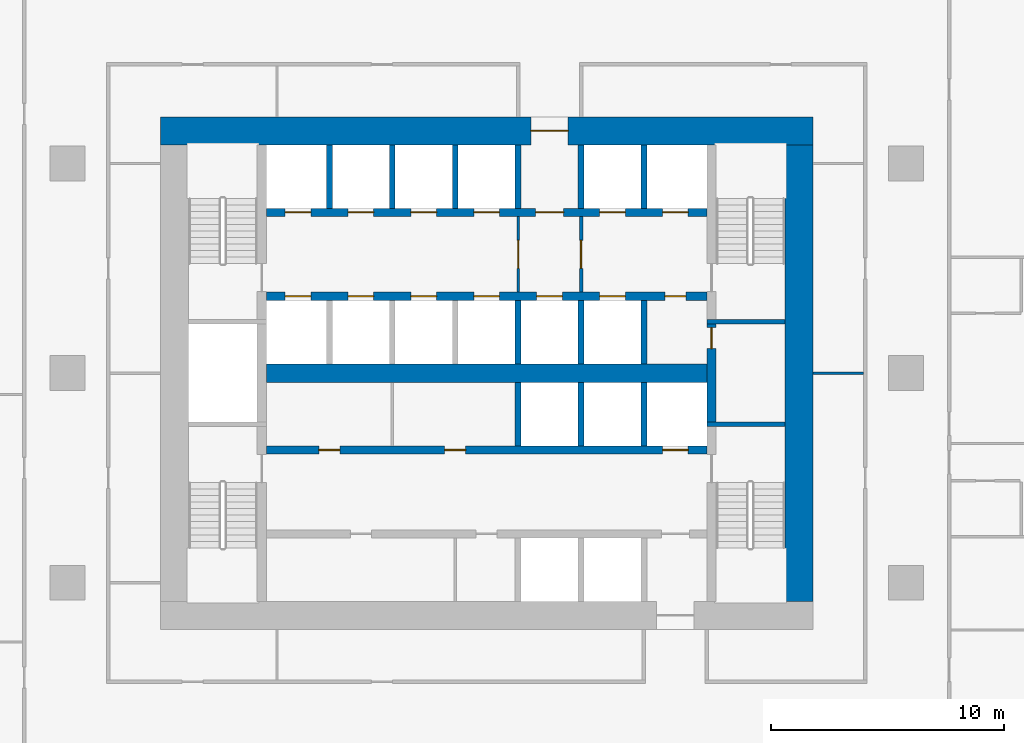
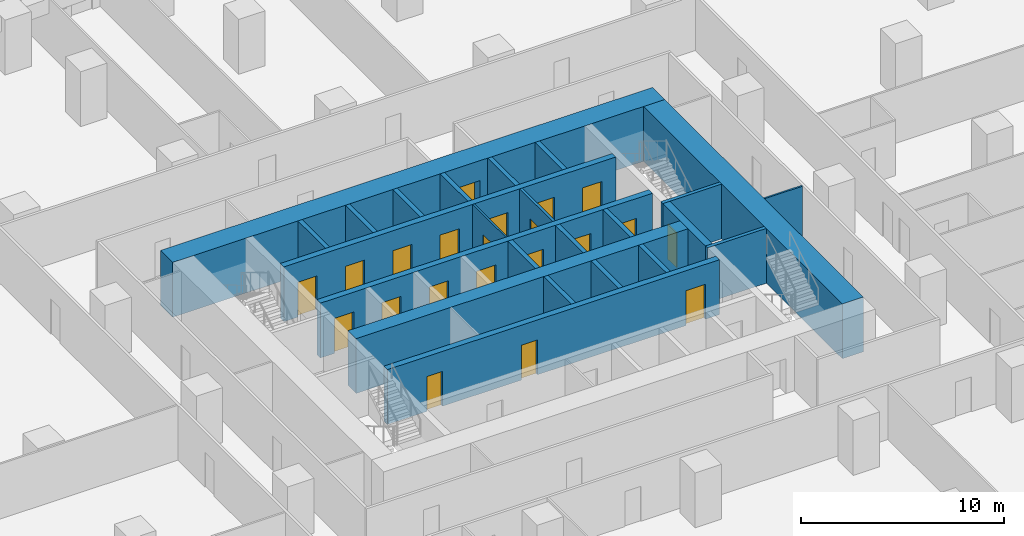
# One storey, part 14 of 24: 24 walls, 21 doors, 21 openings.
"""IFC4 building model written with IfcOpenShell, lengths in metres."""

from ifc_helpers import new_model, si_unit, direction, frame, frame_2d, origin, place, context, subcontext, project, spatial, rectangle, extrude, material, layer, layer_set, type_object, element, fill, save


model = new_model("IFC4")

# Units and contexts
model_context = context("Model", 3, precision=1e-05, world=origin(), true_north=direction((0.0, 1.0)))
body_context = subcontext(model_context, "Body", "Model", "MODEL_VIEW")
ifc_project = project(units=[si_unit("LENGTHUNIT", "METRE"), si_unit("AREAUNIT", "SQUARE_METRE"), si_unit("VOLUMEUNIT", "CUBIC_METRE"), si_unit("PLANEANGLEUNIT", "RADIAN"), si_unit("MASSUNIT", "GRAM", prefix="KILO")], contexts=[model_context])

# Site, building, storey
site_placement = place(None, origin())
site = spatial("IfcSite", under=ifc_project, at=site_placement, CompositionType="ELEMENT")
building_placement = place(site_placement, origin())
building = spatial("IfcBuilding", under=site, at=building_placement, Name="Dongbaek Canopy Tower", CompositionType="ELEMENT")
storey_placement = place(building_placement, frame((0.0, 0.0, 44.0)))
storey = spatial("IfcBuildingStorey", under=building, at=storey_placement, Name="L06", CompositionType="ELEMENT", Elevation=44.0)

# Wall
ifc_material_1 = material(Name="Concrete C60/75", Category="concrete")
ifc_layer_1 = layer(ifc_material_1, 0.800048828125)
ifc_layer_set_1 = layer_set([ifc_layer_1], Name="Core central wall 800 Concrete C60/75")
wall_type_1 = type_object("IfcWallType", Name="Core central wall 800 Concrete C60/75", PredefinedType="SHEAR", material=ifc_layer_set_1)
wall_1_placement = place(storey_placement, frame((-9.449951171875, 0.0, 0.0), z_axis=(0.0, 0.0, 1.0), x_axis=(1.0, 0.0, 0.0)))
element("IfcWall", 1, at=wall_1_placement, inside=storey, type_object=wall_type_1, Name="Core wall", PredefinedType="SHEAR", context=body_context, shape_type="SweptSolid", body=[
    extrude(rectangle(XDim=18.89990234375, YDim=0.800048828125, at=frame_2d((9.449951171875, 0.0))), origin(), (0.0, 0.0, 1.0), 3.300048828125),
])

# Wall, openings, doors
ifc_material_2 = material(Name="Concrete C60/75", Category="concrete")
ifc_layer_2 = layer(ifc_material_2, 0.35009765625)
ifc_layer_set_2 = layer_set([ifc_layer_2], Name="Core lobby wall 350 Concrete C60/75")
wall_type_2 = type_object("IfcWallType", Name="Core lobby wall 350 Concrete C60/75", PredefinedType="SHEAR", material=ifc_layer_set_2)
wall_2_placement = place(storey_placement, frame((-9.449951171875, 6.89990234375, 0.0), z_axis=(0.0, 0.0, 1.0), x_axis=(1.0, 0.0, 0.0)))
wall_2 = element("IfcWall", 2, at=wall_2_placement, inside=storey, type_object=wall_type_2, Name="Core wall", PredefinedType="SHEAR", context=body_context, shape_type="SweptSolid", body=[
    extrude(rectangle(XDim=18.89990234375, YDim=0.35009765625, at=frame_2d((9.449951171875, 0.0))), origin(), (0.0, 0.0, 1.0), 3.300048828125),
])
opening_1_placement = place(wall_2_placement, frame((0.800048828125, 0.0, 0.0)))
opening_1 = element("IfcOpeningElement", 3, at=opening_1_placement, cuts=wall_2, Name="Opening L06-D028", PredefinedType="OPENING", context=body_context, shape_type="SweptSolid", body=[
    extrude(rectangle(XDim=1.10009765625, YDim=2.10009765625, at=frame_2d((0.550048828125, 1.050048828125))), frame((0.0, 0.18505859375, 0.0), z_axis=(0.0, -1.0, 0.0), x_axis=(1.0, 0.0, 0.0)), (0.0, 0.0, 1.0), 0.3701171875),
])
opening_2_placement = place(wall_2_placement, frame((3.5, 0.0, 0.0)))
opening_2 = element("IfcOpeningElement", 4, at=opening_2_placement, cuts=wall_2, Name="Opening L06-D029", PredefinedType="OPENING", context=body_context, shape_type="SweptSolid", body=[
    extrude(rectangle(XDim=1.10009765625, YDim=2.10009765625, at=frame_2d((0.550048828125, 1.050048828125))), frame((0.0, 0.18505859375, 0.0), z_axis=(0.0, -1.0, 0.0), x_axis=(1.0, 0.0, 0.0)), (0.0, 0.0, 1.0), 0.3701171875),
])
opening_3_placement = place(wall_2_placement, frame((6.199951171875, 0.0, 0.0)))
opening_3 = element("IfcOpeningElement", 5, at=opening_3_placement, cuts=wall_2, Name="Opening L06-D030", PredefinedType="OPENING", context=body_context, shape_type="SweptSolid", body=[
    extrude(rectangle(XDim=1.10009765625, YDim=2.10009765625, at=frame_2d((0.550048828125, 1.050048828125))), frame((0.0, 0.18505859375, 0.0), z_axis=(0.0, -1.0, 0.0), x_axis=(1.0, 0.0, 0.0)), (0.0, 0.0, 1.0), 0.3701171875),
])
opening_4_placement = place(wall_2_placement, frame((8.89990234375, 0.0, 0.0)))
opening_4 = element("IfcOpeningElement", 6, at=opening_4_placement, cuts=wall_2, Name="Opening L06-D031", PredefinedType="OPENING", context=body_context, shape_type="SweptSolid", body=[
    extrude(rectangle(XDim=1.10009765625, YDim=2.10009765625, at=frame_2d((0.550048828125, 1.050048828125))), frame((0.0, 0.18505859375, 0.0), z_axis=(0.0, -1.0, 0.0), x_axis=(1.0, 0.0, 0.0)), (0.0, 0.0, 1.0), 0.3701171875),
])
opening_5_placement = place(wall_2_placement, frame((11.550048828125, 0.0, 0.0)))
opening_5 = element("IfcOpeningElement", 7, at=opening_5_placement, cuts=wall_2, Name="Opening L06-D033", PredefinedType="OPENING", context=body_context, shape_type="SweptSolid", body=[
    extrude(rectangle(XDim=1.199951171875, YDim=2.10009765625, at=frame_2d((0.60009765625, 1.050048828125))), frame((0.0, 0.18505859375, 0.0), z_axis=(0.0, -1.0, 0.0), x_axis=(1.0, 0.0, 0.0)), (0.0, 0.0, 1.0), 0.3701171875),
])
opening_6_placement = place(wall_2_placement, frame((14.300048828125, 0.0, 0.0)))
opening_6 = element("IfcOpeningElement", 8, at=opening_6_placement, cuts=wall_2, Name="Opening L06-D034", PredefinedType="OPENING", context=body_context, shape_type="SweptSolid", body=[
    extrude(rectangle(XDim=1.10009765625, YDim=2.10009765625, at=frame_2d((0.550048828125, 1.050048828125))), frame((0.0, 0.18505859375, 0.0), z_axis=(0.0, -1.0, 0.0), x_axis=(1.0, 0.0, 0.0)), (0.0, 0.0, 1.0), 0.3701171875),
])
opening_7_placement = place(wall_2_placement, frame((17.0, 0.0, 0.0)))
opening_7 = element("IfcOpeningElement", 9, at=opening_7_placement, cuts=wall_2, Name="Opening L06-D035", PredefinedType="OPENING", context=body_context, shape_type="SweptSolid", body=[
    extrude(rectangle(XDim=1.10009765625, YDim=2.10009765625, at=frame_2d((0.550048828125, 1.050048828125))), frame((0.0, 0.18505859375, 0.0), z_axis=(0.0, -1.0, 0.0), x_axis=(1.0, 0.0, 0.0)), (0.0, 0.0, 1.0), 0.3701171875),
])
ifc_material_3 = material(Name="Steel", Category="steel")
door_type_1 = type_object("IfcDoorType", Name="Fire lobby door 1200 x 2100", OperationType="SINGLE_SWING_LEFT", PredefinedType="DOOR", material=ifc_material_3)
door_1_placement = place(opening_5_placement, origin())
door_1 = element("IfcDoor", 10, at=door_1_placement, inside=storey, type_object=door_type_1, Name="Door L06-D033", OperationType="SINGLE_SWING_LEFT", OverallHeight=2.10009765625, OverallWidth=1.199951171875, PredefinedType="DOOR", context=body_context, shape_type="SweptSolid", body=[
    extrude(rectangle(XDim=1.199951171875, YDim=2.10009765625, at=frame_2d((0.60009765625, 1.050048828125))), frame((0.0, 0.02490234375, 0.0), z_axis=(0.0, -1.0, 0.0), x_axis=(1.0, 0.0, 0.0)), (0.0, 0.0, 1.0), 0.050048828125),
])
fill(opening_5, door_1)
ifc_material_4 = material(Name="Stainless steel", Category="steel")
door_type_2 = type_object("IfcDoorType", Name="Lift landing door 1100 x 2100", OperationType="DOUBLE_DOOR_SLIDING", PredefinedType="DOOR", material=ifc_material_4)
door_2_placement = place(opening_1_placement, origin())
door_2 = element("IfcDoor", 11, at=door_2_placement, inside=storey, type_object=door_type_2, Name="Landing door LR1", OperationType="DOUBLE_DOOR_SLIDING", OverallHeight=2.10009765625, OverallWidth=1.10009765625, PredefinedType="DOOR", context=body_context, shape_type="SweptSolid", body=[
    extrude(rectangle(XDim=1.10009765625, YDim=2.10009765625, at=frame_2d((0.550048828125, 1.050048828125))), frame((0.0, 0.02490234375, 0.0), z_axis=(0.0, -1.0, 0.0), x_axis=(1.0, 0.0, 0.0)), (0.0, 0.0, 1.0), 0.050048828125),
])
fill(opening_1, door_2)
door_3_placement = place(opening_2_placement, origin())
door_3 = element("IfcDoor", 12, at=door_3_placement, inside=storey, type_object=door_type_2, Name="Landing door LR2", OperationType="DOUBLE_DOOR_SLIDING", OverallHeight=2.10009765625, OverallWidth=1.10009765625, PredefinedType="DOOR", context=body_context, shape_type="SweptSolid", body=[
    extrude(rectangle(XDim=1.10009765625, YDim=2.10009765625, at=frame_2d((0.550048828125, 1.050048828125))), frame((0.0, 0.02490234375, 0.0), z_axis=(0.0, -1.0, 0.0), x_axis=(1.0, 0.0, 0.0)), (0.0, 0.0, 1.0), 0.050048828125),
])
fill(opening_2, door_3)
door_4_placement = place(opening_3_placement, origin())
door_4 = element("IfcDoor", 13, at=door_4_placement, inside=storey, type_object=door_type_2, Name="Landing door LR3", OperationType="DOUBLE_DOOR_SLIDING", OverallHeight=2.10009765625, OverallWidth=1.10009765625, PredefinedType="DOOR", context=body_context, shape_type="SweptSolid", body=[
    extrude(rectangle(XDim=1.10009765625, YDim=2.10009765625, at=frame_2d((0.550048828125, 1.050048828125))), frame((0.0, 0.02490234375, 0.0), z_axis=(0.0, -1.0, 0.0), x_axis=(1.0, 0.0, 0.0)), (0.0, 0.0, 1.0), 0.050048828125),
])
fill(opening_3, door_4)
door_5_placement = place(opening_4_placement, origin())
door_5 = element("IfcDoor", 14, at=door_5_placement, inside=storey, type_object=door_type_2, Name="Landing door LR4", OperationType="DOUBLE_DOOR_SLIDING", OverallHeight=2.10009765625, OverallWidth=1.10009765625, PredefinedType="DOOR", context=body_context, shape_type="SweptSolid", body=[
    extrude(rectangle(XDim=1.10009765625, YDim=2.10009765625, at=frame_2d((0.550048828125, 1.050048828125))), frame((0.0, 0.02490234375, 0.0), z_axis=(0.0, -1.0, 0.0), x_axis=(1.0, 0.0, 0.0)), (0.0, 0.0, 1.0), 0.050048828125),
])
fill(opening_4, door_5)
door_6_placement = place(opening_6_placement, origin())
door_6 = element("IfcDoor", 15, at=door_6_placement, inside=storey, type_object=door_type_2, Name="Landing door FF1", OperationType="DOUBLE_DOOR_SLIDING", OverallHeight=2.10009765625, OverallWidth=1.10009765625, PredefinedType="DOOR", context=body_context, shape_type="SweptSolid", body=[
    extrude(rectangle(XDim=1.10009765625, YDim=2.10009765625, at=frame_2d((0.550048828125, 1.050048828125))), frame((0.0, 0.02490234375, 0.0), z_axis=(0.0, -1.0, 0.0), x_axis=(1.0, 0.0, 0.0)), (0.0, 0.0, 1.0), 0.050048828125),
])
fill(opening_6, door_6)
door_7_placement = place(opening_7_placement, origin())
door_7 = element("IfcDoor", 16, at=door_7_placement, inside=storey, type_object=door_type_2, Name="Landing door FF2", OperationType="DOUBLE_DOOR_SLIDING", OverallHeight=2.10009765625, OverallWidth=1.10009765625, PredefinedType="DOOR", context=body_context, shape_type="SweptSolid", body=[
    extrude(rectangle(XDim=1.10009765625, YDim=2.10009765625, at=frame_2d((0.550048828125, 1.050048828125))), frame((0.0, 0.02490234375, 0.0), z_axis=(0.0, -1.0, 0.0), x_axis=(1.0, 0.0, 0.0)), (0.0, 0.0, 1.0), 0.050048828125),
])
fill(opening_7, door_7)

wall_3_placement = place(storey_placement, frame((9.449951171875, 3.300048828125, 0.0), z_axis=(0.0, 0.0, 1.0), x_axis=(-1.0, 0.0, 0.0)))
wall_3 = element("IfcWall", 17, at=wall_3_placement, inside=storey, type_object=wall_type_2, Name="Core wall", PredefinedType="SHEAR", context=body_context, shape_type="SweptSolid", body=[
    extrude(rectangle(XDim=18.89990234375, YDim=0.35009765625, at=frame_2d((9.449951171875, 0.0))), origin(), (0.0, 0.0, 1.0), 3.300048828125),
])
opening_8_placement = place(wall_3_placement, frame((17.0, 0.0, 0.0)))
opening_8 = element("IfcOpeningElement", 18, at=opening_8_placement, cuts=wall_3, Name="Opening L06-D036", PredefinedType="OPENING", context=body_context, shape_type="SweptSolid", body=[
    extrude(rectangle(XDim=1.10009765625, YDim=2.10009765625, at=frame_2d((0.550048828125, 1.050048828125))), frame((0.0, 0.18505859375, 0.0), z_axis=(0.0, -1.0, 0.0), x_axis=(1.0, 0.0, 0.0)), (0.0, 0.0, 1.0), 0.3701171875),
])
opening_9_placement = place(wall_3_placement, frame((14.300048828125, 0.0, 0.0)))
opening_9 = element("IfcOpeningElement", 19, at=opening_9_placement, cuts=wall_3, Name="Opening L06-D037", PredefinedType="OPENING", context=body_context, shape_type="SweptSolid", body=[
    extrude(rectangle(XDim=1.10009765625, YDim=2.10009765625, at=frame_2d((0.550048828125, 1.050048828125))), frame((0.0, 0.18505859375, 0.0), z_axis=(0.0, -1.0, 0.0), x_axis=(1.0, 0.0, 0.0)), (0.0, 0.0, 1.0), 0.3701171875),
])
opening_10_placement = place(wall_3_placement, frame((11.60009765625, 0.0, 0.0)))
opening_10 = element("IfcOpeningElement", 20, at=opening_10_placement, cuts=wall_3, Name="Opening L06-D038", PredefinedType="OPENING", context=body_context, shape_type="SweptSolid", body=[
    extrude(rectangle(XDim=1.10009765625, YDim=2.10009765625, at=frame_2d((0.550048828125, 1.050048828125))), frame((0.0, 0.18505859375, 0.0), z_axis=(0.0, -1.0, 0.0), x_axis=(1.0, 0.0, 0.0)), (0.0, 0.0, 1.0), 0.3701171875),
])
opening_11_placement = place(wall_3_placement, frame((8.89990234375, 0.0, 0.0)))
opening_11 = element("IfcOpeningElement", 21, at=opening_11_placement, cuts=wall_3, Name="Opening L06-D039", PredefinedType="OPENING", context=body_context, shape_type="SweptSolid", body=[
    extrude(rectangle(XDim=1.10009765625, YDim=2.10009765625, at=frame_2d((0.550048828125, 1.050048828125))), frame((0.0, 0.18505859375, 0.0), z_axis=(0.0, -1.0, 0.0), x_axis=(1.0, 0.0, 0.0)), (0.0, 0.0, 1.0), 0.3701171875),
])
opening_12_placement = place(wall_3_placement, frame((6.199951171875, 0.0, 0.0)))
opening_12 = element("IfcOpeningElement", 22, at=opening_12_placement, cuts=wall_3, Name="Opening L06-D040", PredefinedType="OPENING", context=body_context, shape_type="SweptSolid", body=[
    extrude(rectangle(XDim=1.10009765625, YDim=2.10009765625, at=frame_2d((0.550048828125, 1.050048828125))), frame((0.0, 0.18505859375, 0.0), z_axis=(0.0, -1.0, 0.0), x_axis=(1.0, 0.0, 0.0)), (0.0, 0.0, 1.0), 0.3701171875),
])
opening_13_placement = place(wall_3_placement, frame((3.5, 0.0, 0.0)))
opening_13 = element("IfcOpeningElement", 23, at=opening_13_placement, cuts=wall_3, Name="Opening L06-D041", PredefinedType="OPENING", context=body_context, shape_type="SweptSolid", body=[
    extrude(rectangle(XDim=1.10009765625, YDim=2.10009765625, at=frame_2d((0.550048828125, 1.050048828125))), frame((0.0, 0.18505859375, 0.0), z_axis=(0.0, -1.0, 0.0), x_axis=(1.0, 0.0, 0.0)), (0.0, 0.0, 1.0), 0.3701171875),
])
opening_14_placement = place(wall_3_placement, frame((0.89990234375, 0.0, 0.0)))
opening_14 = element("IfcOpeningElement", 24, at=opening_14_placement, cuts=wall_3, Name="Opening L06-D042", PredefinedType="OPENING", context=body_context, shape_type="SweptSolid", body=[
    extrude(rectangle(XDim=0.89990234375, YDim=2.10009765625, at=frame_2d((0.449951171875, 1.050048828125))), frame((0.0, 0.18505859375, 0.0), z_axis=(0.0, -1.0, 0.0), x_axis=(1.0, 0.0, 0.0)), (0.0, 0.0, 1.0), 0.3701171875),
])
ifc_material_5 = material(Name="Steel", Category="steel")
door_type_3 = type_object("IfcDoorType", Name="Core room door 900 x 2100", OperationType="SINGLE_SWING_LEFT", PredefinedType="DOOR", material=ifc_material_5)
door_8_placement = place(opening_14_placement, origin())
door_8 = element("IfcDoor", 25, at=door_8_placement, inside=storey, type_object=door_type_3, Name="Door L06-D042", OperationType="SINGLE_SWING_LEFT", OverallHeight=2.10009765625, OverallWidth=0.89990234375, PredefinedType="DOOR", context=body_context, shape_type="SweptSolid", body=[
    extrude(rectangle(XDim=0.89990234375, YDim=2.10009765625, at=frame_2d((0.449951171875, 1.050048828125))), frame((0.0, 0.02490234375, 0.0), z_axis=(0.0, -1.0, 0.0), x_axis=(1.0, 0.0, 0.0)), (0.0, 0.0, 1.0), 0.050048828125),
])
fill(opening_14, door_8)
door_9_placement = place(opening_8_placement, origin())
door_9 = element("IfcDoor", 26, at=door_9_placement, inside=storey, type_object=door_type_2, Name="Landing door LR5", OperationType="DOUBLE_DOOR_SLIDING", OverallHeight=2.10009765625, OverallWidth=1.10009765625, PredefinedType="DOOR", context=body_context, shape_type="SweptSolid", body=[
    extrude(rectangle(XDim=1.10009765625, YDim=2.10009765625, at=frame_2d((0.550048828125, 1.050048828125))), frame((0.0, 0.02490234375, 0.0), z_axis=(0.0, -1.0, 0.0), x_axis=(1.0, 0.0, 0.0)), (0.0, 0.0, 1.0), 0.050048828125),
])
fill(opening_8, door_9)
door_10_placement = place(opening_9_placement, origin())
door_10 = element("IfcDoor", 27, at=door_10_placement, inside=storey, type_object=door_type_2, Name="Landing door LR6", OperationType="DOUBLE_DOOR_SLIDING", OverallHeight=2.10009765625, OverallWidth=1.10009765625, PredefinedType="DOOR", context=body_context, shape_type="SweptSolid", body=[
    extrude(rectangle(XDim=1.10009765625, YDim=2.10009765625, at=frame_2d((0.550048828125, 1.050048828125))), frame((0.0, 0.02490234375, 0.0), z_axis=(0.0, -1.0, 0.0), x_axis=(1.0, 0.0, 0.0)), (0.0, 0.0, 1.0), 0.050048828125),
])
fill(opening_9, door_10)
door_11_placement = place(opening_10_placement, origin())
door_11 = element("IfcDoor", 28, at=door_11_placement, inside=storey, type_object=door_type_2, Name="Landing door LR7", OperationType="DOUBLE_DOOR_SLIDING", OverallHeight=2.10009765625, OverallWidth=1.10009765625, PredefinedType="DOOR", context=body_context, shape_type="SweptSolid", body=[
    extrude(rectangle(XDim=1.10009765625, YDim=2.10009765625, at=frame_2d((0.550048828125, 1.050048828125))), frame((0.0, 0.02490234375, 0.0), z_axis=(0.0, -1.0, 0.0), x_axis=(1.0, 0.0, 0.0)), (0.0, 0.0, 1.0), 0.050048828125),
])
fill(opening_10, door_11)
door_12_placement = place(opening_11_placement, origin())
door_12 = element("IfcDoor", 29, at=door_12_placement, inside=storey, type_object=door_type_2, Name="Landing door LR8", OperationType="DOUBLE_DOOR_SLIDING", OverallHeight=2.10009765625, OverallWidth=1.10009765625, PredefinedType="DOOR", context=body_context, shape_type="SweptSolid", body=[
    extrude(rectangle(XDim=1.10009765625, YDim=2.10009765625, at=frame_2d((0.550048828125, 1.050048828125))), frame((0.0, 0.02490234375, 0.0), z_axis=(0.0, -1.0, 0.0), x_axis=(1.0, 0.0, 0.0)), (0.0, 0.0, 1.0), 0.050048828125),
])
fill(opening_11, door_12)
door_13_placement = place(opening_12_placement, origin())
door_13 = element("IfcDoor", 30, at=door_13_placement, inside=storey, type_object=door_type_2, Name="Landing door SV1", OperationType="DOUBLE_DOOR_SLIDING", OverallHeight=2.10009765625, OverallWidth=1.10009765625, PredefinedType="DOOR", context=body_context, shape_type="SweptSolid", body=[
    extrude(rectangle(XDim=1.10009765625, YDim=2.10009765625, at=frame_2d((0.550048828125, 1.050048828125))), frame((0.0, 0.02490234375, 0.0), z_axis=(0.0, -1.0, 0.0), x_axis=(1.0, 0.0, 0.0)), (0.0, 0.0, 1.0), 0.050048828125),
])
fill(opening_12, door_13)
door_14_placement = place(opening_13_placement, origin())
door_14 = element("IfcDoor", 31, at=door_14_placement, inside=storey, type_object=door_type_2, Name="Landing door FF3", OperationType="DOUBLE_DOOR_SLIDING", OverallHeight=2.10009765625, OverallWidth=1.10009765625, PredefinedType="DOOR", context=body_context, shape_type="SweptSolid", body=[
    extrude(rectangle(XDim=1.10009765625, YDim=2.10009765625, at=frame_2d((0.550048828125, 1.050048828125))), frame((0.0, 0.02490234375, 0.0), z_axis=(0.0, -1.0, 0.0), x_axis=(1.0, 0.0, 0.0)), (0.0, 0.0, 1.0), 0.050048828125),
])
fill(opening_13, door_14)

wall_4_placement = place(storey_placement, frame((-9.449951171875, -3.300048828125, 0.0), z_axis=(0.0, 0.0, 1.0), x_axis=(1.0, 0.0, 0.0)))
wall_4 = element("IfcWall", 32, at=wall_4_placement, inside=storey, type_object=wall_type_2, Name="Core wall", PredefinedType="SHEAR", context=body_context, shape_type="SweptSolid", body=[
    extrude(rectangle(XDim=18.89990234375, YDim=0.35009765625, at=frame_2d((9.449951171875, 0.0))), origin(), (0.0, 0.0, 1.0), 3.300048828125),
])
opening_15_placement = place(wall_4_placement, frame((17.0, 0.0, 0.0)))
opening_15 = element("IfcOpeningElement", 33, at=opening_15_placement, cuts=wall_4, Name="Opening L06-D043", PredefinedType="OPENING", context=body_context, shape_type="SweptSolid", body=[
    extrude(rectangle(XDim=1.10009765625, YDim=2.10009765625, at=frame_2d((0.550048828125, 1.050048828125))), frame((0.0, 0.18505859375, 0.0), z_axis=(0.0, -1.0, 0.0), x_axis=(1.0, 0.0, 0.0)), (0.0, 0.0, 1.0), 0.3701171875),
])
opening_16_placement = place(wall_4_placement, frame((2.25, 0.0, 0.0)))
opening_16 = element("IfcOpeningElement", 34, at=opening_16_placement, cuts=wall_4, Name="Opening L06-D046", PredefinedType="OPENING", context=body_context, shape_type="SweptSolid", body=[
    extrude(rectangle(XDim=0.89990234375, YDim=2.10009765625, at=frame_2d((0.449951171875, 1.050048828125))), frame((0.0, 0.18505859375, 0.0), z_axis=(0.0, -1.0, 0.0), x_axis=(1.0, 0.0, 0.0)), (0.0, 0.0, 1.0), 0.3701171875),
])
opening_17_placement = place(wall_4_placement, frame((7.64990234375, 0.0, 0.0)))
opening_17 = element("IfcOpeningElement", 35, at=opening_17_placement, cuts=wall_4, Name="Opening L06-D047", PredefinedType="OPENING", context=body_context, shape_type="SweptSolid", body=[
    extrude(rectangle(XDim=0.89990234375, YDim=2.10009765625, at=frame_2d((0.449951171875, 1.050048828125))), frame((0.0, 0.18505859375, 0.0), z_axis=(0.0, -1.0, 0.0), x_axis=(1.0, 0.0, 0.0)), (0.0, 0.0, 1.0), 0.3701171875),
])
door_15_placement = place(opening_16_placement, origin())
door_15 = element("IfcDoor", 36, at=door_15_placement, inside=storey, type_object=door_type_3, Name="Door L06-D046", OperationType="SINGLE_SWING_RIGHT", OverallHeight=2.10009765625, OverallWidth=0.89990234375, PredefinedType="DOOR", context=body_context, shape_type="SweptSolid", body=[
    extrude(rectangle(XDim=0.89990234375, YDim=2.10009765625, at=frame_2d((0.449951171875, 1.050048828125))), frame((0.0, 0.02490234375, 0.0), z_axis=(0.0, -1.0, 0.0), x_axis=(1.0, 0.0, 0.0)), (0.0, 0.0, 1.0), 0.050048828125),
])
fill(opening_16, door_15)
door_16_placement = place(opening_17_placement, origin())
door_16 = element("IfcDoor", 37, at=door_16_placement, inside=storey, type_object=door_type_3, Name="Door L06-D047", OperationType="SINGLE_SWING_LEFT", OverallHeight=2.10009765625, OverallWidth=0.89990234375, PredefinedType="DOOR", context=body_context, shape_type="SweptSolid", body=[
    extrude(rectangle(XDim=0.89990234375, YDim=2.10009765625, at=frame_2d((0.449951171875, 1.050048828125))), frame((0.0, 0.02490234375, 0.0), z_axis=(0.0, -1.0, 0.0), x_axis=(1.0, 0.0, 0.0)), (0.0, 0.0, 1.0), 0.050048828125),
])
fill(opening_17, door_16)
door_17_placement = place(opening_15_placement, origin())
door_17 = element("IfcDoor", 38, at=door_17_placement, inside=storey, type_object=door_type_2, Name="Landing door SV2", OperationType="DOUBLE_DOOR_SLIDING", OverallHeight=2.10009765625, OverallWidth=1.10009765625, PredefinedType="DOOR", context=body_context, shape_type="SweptSolid", body=[
    extrude(rectangle(XDim=1.10009765625, YDim=2.10009765625, at=frame_2d((0.550048828125, 1.050048828125))), frame((0.0, 0.02490234375, 0.0), z_axis=(0.0, -1.0, 0.0), x_axis=(1.0, 0.0, 0.0)), (0.0, 0.0, 1.0), 0.050048828125),
])
fill(opening_15, door_17)

# Wall, opening, door
ifc_material_6 = material(Name="Concrete C60/75", Category="concrete")
ifc_layer_3 = layer(ifc_material_6, 1.199951171875)
ifc_layer_set_3 = layer_set([ifc_layer_3], Name="Core outer wall 1200 Concrete C60/75")
wall_type_3 = type_object("IfcWallType", Name="Core outer wall 1200 Concrete C60/75", PredefinedType="SHEAR", material=ifc_layer_set_3)
wall_5_placement = place(storey_placement, frame((-14.0, 10.39990234375, 0.0), z_axis=(0.0, 0.0, 1.0), x_axis=(1.0, 0.0, 0.0)))
wall_5 = element("IfcWall", 39, at=wall_5_placement, inside=storey, type_object=wall_type_3, Name="Core wall", PredefinedType="SHEAR", context=body_context, shape_type="SweptSolid", body=[
    extrude(rectangle(XDim=28.0, YDim=1.199951171875, at=frame_2d((14.0, 0.0))), origin(), (0.0, 0.0, 1.0), 3.300048828125),
])
opening_18_placement = place(wall_5_placement, frame((15.89990234375, 0.0, 0.0)))
opening_18 = element("IfcOpeningElement", 40, at=opening_18_placement, cuts=wall_5, Name="Opening L06-D032", PredefinedType="OPENING", context=body_context, shape_type="SweptSolid", body=[
    extrude(rectangle(XDim=1.60009765625, YDim=2.10009765625, at=frame_2d((0.800048828125, 1.050048828125))), frame((0.0, 0.60986328125, 0.0), z_axis=(0.0, -1.0, 0.0), x_axis=(1.0, 0.0, 0.0)), (0.0, 0.0, 1.0), 1.219970703125),
])
ifc_material_7 = material(Name="Steel", Category="steel")
door_type_4 = type_object("IfcDoorType", Name="Core exit door 1600 x 2100", OperationType="DOUBLE_DOOR_SINGLE_SWING", PredefinedType="DOOR", material=ifc_material_7)
door_18_placement = place(opening_18_placement, origin())
door_18 = element("IfcDoor", 41, at=door_18_placement, inside=storey, type_object=door_type_4, Name="Core exit door", OperationType="DOUBLE_DOOR_SINGLE_SWING", OverallHeight=2.10009765625, OverallWidth=1.60009765625, PredefinedType="DOOR", context=body_context, shape_type="SweptSolid", body=[
    extrude(rectangle(XDim=1.60009765625, YDim=2.10009765625, at=frame_2d((0.800048828125, 1.050048828125))), frame((0.0, 0.02490234375, 0.0), z_axis=(0.0, -1.0, 0.0), x_axis=(1.0, 0.0, 0.0)), (0.0, 0.0, 1.0), 0.050048828125),
])
fill(opening_18, door_18)

# Wall
wall_6_placement = place(storey_placement, frame((13.39990234375, 9.800048828125, 0.0), z_axis=(0.0, 0.0, 1.0), x_axis=(0.0, -1.0, 0.0)))
element("IfcWall", 42, at=wall_6_placement, inside=storey, type_object=wall_type_3, Name="Core wall", PredefinedType="SHEAR", context=body_context, shape_type="SweptSolid", body=[
    extrude(rectangle(XDim=19.60009765625, YDim=1.199951171875, at=frame_2d((9.800048828125, 0.0))), origin(), (0.0, 0.0, 1.0), 3.300048828125),
])

# Wall, opening, door
ifc_material_8 = material(Name="Gypsum board partition, steel stud, 2 x 15 mm fire board", Category="steel")
ifc_layer_4 = layer(ifc_material_8, 0.14990234375)
ifc_layer_set_4 = layer_set([ifc_layer_4], Name="Fire-rated partition 150 gypsum board")
wall_type_4 = type_object("IfcWallType", Name="Fire-rated partition 150 gypsum board", PredefinedType="PARTITIONING", material=ifc_layer_set_4)
wall_7_placement = place(storey_placement, frame((4.050048828125, 6.72509765625, 0.0), z_axis=(0.0, 0.0, 1.0), x_axis=(0.0, -1.0, 0.0)))
wall_7 = element("IfcWall", 43, at=wall_7_placement, inside=storey, type_object=wall_type_4, Name="Fire lobby partition", PredefinedType="PARTITIONING", context=body_context, shape_type="SweptSolid", body=[
    extrude(rectangle(XDim=3.25, YDim=0.14990234375, at=frame_2d((1.625, 0.0))), origin(), (0.0, 0.0, 1.0), 3.300048828125),
])
opening_19_placement = place(wall_7_placement, frame((1.02490234375, 0.0, 0.0)))
opening_19 = element("IfcOpeningElement", 44, at=opening_19_placement, cuts=wall_7, Name="Opening L06-D055", PredefinedType="OPENING", context=body_context, shape_type="SweptSolid", body=[
    extrude(rectangle(XDim=1.199951171875, YDim=2.10009765625, at=frame_2d((0.60009765625, 1.050048828125))), frame((0.0, 0.0849609375, 0.0), z_axis=(0.0, -1.0, 0.0), x_axis=(1.0, 0.0, 0.0)), (0.0, 0.0, 1.0), 0.169921875),
])
door_19_placement = place(opening_19_placement, origin())
door_19 = element("IfcDoor", 45, at=door_19_placement, inside=storey, type_object=door_type_1, Name="Door L06-D055", OperationType="SINGLE_SWING_RIGHT", OverallHeight=2.10009765625, OverallWidth=1.199951171875, PredefinedType="DOOR", context=body_context, shape_type="SweptSolid", body=[
    extrude(rectangle(XDim=1.199951171875, YDim=2.10009765625, at=frame_2d((0.60009765625, 1.050048828125))), frame((0.0, 0.02490234375, 0.0), z_axis=(0.0, -1.0, 0.0), x_axis=(1.0, 0.0, 0.0)), (0.0, 0.0, 1.0), 0.050048828125),
])
fill(opening_19, door_19)

# Walls
ifc_material_9 = material(Name="Concrete C40/50", Category="concrete")
ifc_layer_5 = layer(ifc_material_9, 0.25)
ifc_layer_set_5 = layer_set([ifc_layer_5], Name="Lift shaft wall 250 Concrete C40/50")
wall_type_5 = type_object("IfcWallType", Name="Lift shaft wall 250 Concrete C40/50", PredefinedType="SOLIDWALL", material=ifc_layer_set_5)
for number, where, z_axis, x_axis, name in (
    (46, (6.75, -3.125, 0.0), (0.0, 0.0, 1.0), (0.0, 1.0, 0.0), "Lift shaft wall"),
    (47, (6.75, 0.39990234375, 0.0), (0.0, 0.0, 1.0), (0.0, 1.0, 0.0), "Lift shaft wall"),
    (48, (6.75, 7.074951171875, 0.0), (0.0, 0.0, 1.0), (0.0, 1.0, 0.0), "Lift shaft wall"),
    (49, (4.050048828125, -3.125, 0.0), (0.0, 0.0, 1.0), (0.0, 1.0, 0.0), "Lift shaft wall"),
    (50, (4.050048828125, 0.39990234375, 0.0), (0.0, 0.0, 1.0), (0.0, 1.0, 0.0), "Lift shaft wall"),
    (51, (4.050048828125, 7.074951171875, 0.0), (0.0, 0.0, 1.0), (0.0, 1.0, 0.0), "Lift shaft wall"),
    (52, (1.35009765625, -3.125, 0.0), (0.0, 0.0, 1.0), (0.0, 1.0, 0.0), "Lift shaft wall"),
    (53, (1.35009765625, 0.39990234375, 0.0), (0.0, 0.0, 1.0), (0.0, 1.0, 0.0), "Lift shaft wall"),
    (54, (1.35009765625, 7.074951171875, 0.0), (0.0, 0.0, 1.0), (0.0, 1.0, 0.0), "Lift shaft wall"),
    (55, (-1.35009765625, 7.074951171875, 0.0), (0.0, 0.0, 1.0), (0.0, 1.0, 0.0), "Lift shaft wall"),
    (56, (-4.050048828125, 7.074951171875, 0.0), (0.0, 0.0, 1.0), (0.0, 1.0, 0.0), "Lift shaft wall"),
    (57, (-6.75, 7.074951171875, 0.0), (0.0, 0.0, 1.0), (0.0, 1.0, 0.0), "Lift shaft wall"),
):
    element("IfcWall", number, at=place(storey_placement, frame(where, z_axis=z_axis, x_axis=x_axis)), inside=storey, type_object=wall_type_5, Name=name, PredefinedType="SOLIDWALL", context=body_context, shape_type="SweptSolid", body=[
        extrude(rectangle(XDim=2.72509765625, YDim=0.25, at=frame_2d((1.362548828125, 0.0))), origin(), (0.0, 0.0, 1.0), 3.300048828125),
    ])
ifc_material_10 = material(Name="Gypsum board partition, steel stud, 2 x 12.5 mm board", Category="steel")
ifc_layer_6 = layer(ifc_material_10, 0.10009765625)
ifc_layer_set_6 = layer_set([ifc_layer_6], Name="Partition 100 gypsum board")
wall_type_6 = type_object("IfcWallType", Name="Partition 100 gypsum board", PredefinedType="PARTITIONING", material=ifc_layer_set_6)
wall_8_placement = place(storey_placement, frame((14.0, 0.0, 0.0), z_axis=(0.0, 0.0, 1.0), x_axis=(1.0, 0.0, 0.0)))
element("IfcWall", 58, at=wall_8_placement, inside=storey, type_object=wall_type_6, Name="Partition", PredefinedType="PARTITIONING", context=body_context, shape_type="SweptSolid", body=[
    extrude(rectangle(XDim=2.175048828125, YDim=0.10009765625, at=frame_2d((1.08740234375, 0.0))), origin(), (0.0, 0.0, 1.0), 3.300048828125),
])

# Wall, opening, door
wall_9_placement = place(storey_placement, frame((1.35009765625, 6.72509765625, 0.0), z_axis=(0.0, 0.0, 1.0), x_axis=(0.0, -1.0, 0.0)))
wall_9 = element("IfcWall", 59, at=wall_9_placement, inside=storey, type_object=wall_type_6, Name="Core partition", PredefinedType="PARTITIONING", context=body_context, shape_type="SweptSolid", body=[
    extrude(rectangle(XDim=3.25, YDim=0.10009765625, at=frame_2d((1.625, 0.0))), origin(), (0.0, 0.0, 1.0), 3.300048828125),
])
opening_20_placement = place(wall_9_placement, frame((1.02490234375, 0.0, 0.0)))
opening_20 = element("IfcOpeningElement", 60, at=opening_20_placement, cuts=wall_9, Name="Opening L06-D054", PredefinedType="OPENING", context=body_context, shape_type="SweptSolid", body=[
    extrude(rectangle(XDim=1.199951171875, YDim=2.10009765625, at=frame_2d((0.60009765625, 1.050048828125))), frame((0.0, 0.06005859375, 0.0), z_axis=(0.0, -1.0, 0.0), x_axis=(1.0, 0.0, 0.0)), (0.0, 0.0, 1.0), 0.1201171875),
])
door_20_placement = place(opening_20_placement, origin())
door_20 = element("IfcDoor", 61, at=door_20_placement, inside=storey, type_object=door_type_1, Name="Door L06-D054", OperationType="SINGLE_SWING_LEFT", OverallHeight=2.10009765625, OverallWidth=1.199951171875, PredefinedType="DOOR", context=body_context, shape_type="SweptSolid", body=[
    extrude(rectangle(XDim=1.199951171875, YDim=2.10009765625, at=frame_2d((0.60009765625, 1.050048828125))), frame((0.0, 0.02490234375, 0.0), z_axis=(0.0, -1.0, 0.0), x_axis=(1.0, 0.0, 0.0)), (0.0, 0.0, 1.0), 0.050048828125),
])
fill(opening_20, door_20)

# Walls
ifc_material_11 = material(Name="Concrete C60/75", Category="concrete")
ifc_layer_7 = layer(ifc_material_11, 0.199951171875)
ifc_layer_set_7 = layer_set([ifc_layer_7], Name="Riser wall 200 Concrete C60/75")
wall_type_7 = type_object("IfcWallType", Name="Riser wall 200 Concrete C60/75", PredefinedType="SHEAR", material=ifc_layer_set_7)
for number, where, z_axis, x_axis, name in (
    (62, (9.449951171875, 2.199951171875, 0.0), (0.0, 0.0, 1.0), (1.0, 0.0, 0.0), "Riser wall"),
    (63, (9.449951171875, -2.199951171875, 0.0), (0.0, 0.0, 1.0), (1.0, 0.0, 0.0), "Riser wall"),
):
    element("IfcWall", number, at=place(storey_placement, frame(where, z_axis=z_axis, x_axis=x_axis)), inside=storey, type_object=wall_type_7, Name=name, PredefinedType="SHEAR", context=body_context, shape_type="SweptSolid", body=[
        extrude(rectangle(XDim=3.35009765625, YDim=0.199951171875, at=frame_2d((1.675048828125, 0.0))), origin(), (0.0, 0.0, 1.0), 3.300048828125),
    ])

# Wall, opening, door
ifc_material_12 = material(Name="Concrete C60/75", Category="concrete")
ifc_layer_8 = layer(ifc_material_12, 0.39990234375)
ifc_layer_set_8 = layer_set([ifc_layer_8], Name="Stair wall 400 Concrete C60/75")
wall_type_8 = type_object("IfcWallType", Name="Stair wall 400 Concrete C60/75", PredefinedType="SHEAR", material=ifc_layer_set_8)
wall_10_placement = place(storey_placement, frame((9.64990234375, 2.10009765625, 0.0), z_axis=(0.0, 0.0, 1.0), x_axis=(0.0, -1.0, 0.0)))
wall_10 = element("IfcWall", 64, at=wall_10_placement, inside=storey, type_object=wall_type_8, Name="Stair wall", PredefinedType="SHEAR", context=body_context, shape_type="SweptSolid", body=[
    extrude(rectangle(XDim=4.2001953125, YDim=0.39990234375, at=frame_2d((2.10009765625, 0.0))), origin(), (0.0, 0.0, 1.0), 3.300048828125),
])
opening_21_placement = place(wall_10_placement, frame((0.14990234375, 0.0, 0.0)))
opening_21 = element("IfcOpeningElement", 65, at=opening_21_placement, cuts=wall_10, Name="Opening L06-D027", PredefinedType="OPENING", context=body_context, shape_type="SweptSolid", body=[
    extrude(rectangle(XDim=0.89990234375, YDim=2.10009765625, at=frame_2d((0.449951171875, 1.050048828125))), frame((0.0, 0.2099609375, 0.0), z_axis=(0.0, -1.0, 0.0), x_axis=(1.0, 0.0, 0.0)), (0.0, 0.0, 1.0), 0.419921875),
])
door_21_placement = place(opening_21_placement, origin())
door_21 = element("IfcDoor", 66, at=door_21_placement, inside=storey, type_object=door_type_3, Name="Door L06-D027", OperationType="SINGLE_SWING_RIGHT", OverallHeight=2.10009765625, OverallWidth=0.89990234375, PredefinedType="DOOR", context=body_context, shape_type="SweptSolid", body=[
    extrude(rectangle(XDim=0.89990234375, YDim=2.10009765625, at=frame_2d((0.449951171875, 1.050048828125))), frame((0.0, 0.02490234375, 0.0), z_axis=(0.0, -1.0, 0.0), x_axis=(1.0, 0.0, 0.0)), (0.0, 0.0, 1.0), 0.050048828125),
])
fill(opening_21, door_21)

save(model, "model.ifc")
